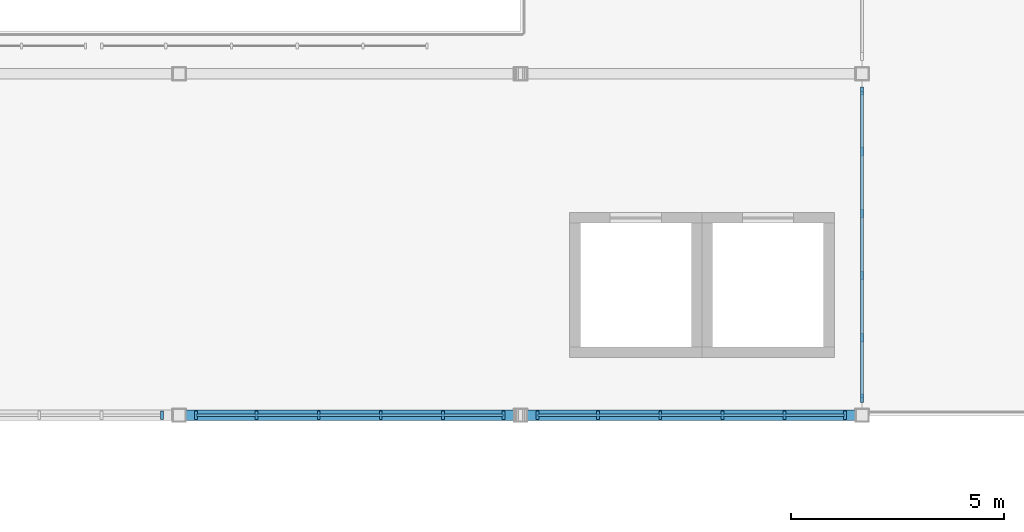
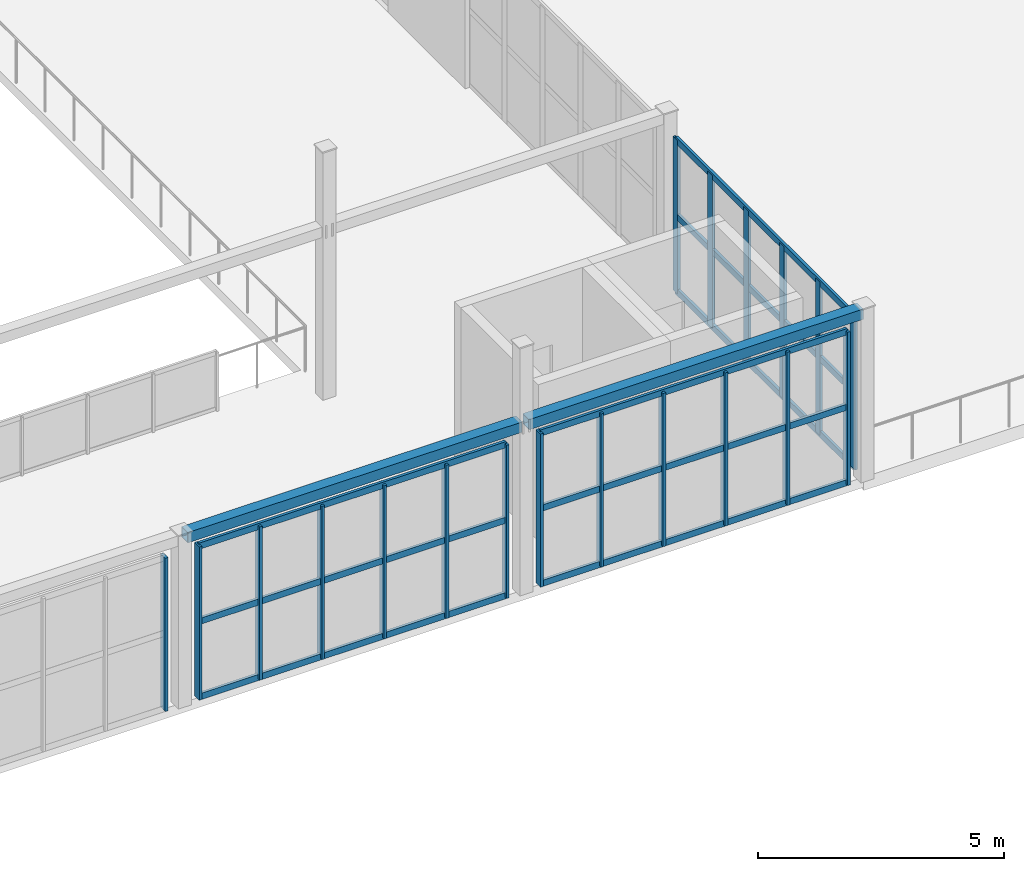
# One storey, part 24 of 83: 30 members, 4 elements without a shape of their own.
"""IFC4 building model written with IfcOpenShell, lengths in metres."""

from ifc_helpers import new_model, si_unit, direction, frame, origin, origin_2d, place, context, subcontext, project, spatial, rectangle, hollow_rectangle, extrude, material, material_profile, profile_set, type_object, element, aggregate, save


model = new_model("IFC4")

# Units and contexts
model_context = context("Model", 3, precision=1e-05, world=origin(), true_north=direction((0.0, 1.0)))
body_context = subcontext(model_context, "Body", "Model", "MODEL_VIEW")
ifc_project = project(units=[si_unit("LENGTHUNIT", "METRE"), si_unit("AREAUNIT", "SQUARE_METRE"), si_unit("VOLUMEUNIT", "CUBIC_METRE"), si_unit("PLANEANGLEUNIT", "RADIAN"), si_unit("MASSUNIT", "GRAM", prefix="KILO")], contexts=[model_context])

# Site, building, storey
site_placement = place(None, origin())
site = spatial("IfcSite", under=ifc_project, at=site_placement, CompositionType="ELEMENT")
building_placement = place(site_placement, origin())
building = spatial("IfcBuilding", under=site, at=building_placement, Name="Drelvath Fold Interchange", CompositionType="ELEMENT")
storey_placement = place(building_placement, frame((0.0, 0.0, 11.199951171875)))
storey = spatial("IfcBuildingStorey", under=building, at=storey_placement, Name="L02", CompositionType="ELEMENT", Elevation=11.199951171875)

# Members
ifc_material_1 = material(Name="Steel ASTM A500 Grade C", Category="steel")
ifc_material_profile_1 = material_profile(ifc_material_1, hollow_rectangle(XDim=0.25390625, YDim=0.25390625, WallThickness=0.01171875, at=origin_2d()), Name="HSS10X10X1/2")
ifc_profile_set_1 = profile_set([ifc_material_profile_1], Name="Steel ASTM A500 Grade C")
member_type_1 = type_object("IfcMemberType", Name="FP-CHD254", PredefinedType="CHORD", material=ifc_profile_set_1)
for number, where, z_axis, x_axis, name in (
    (1, (68.080078125, 59.0, 4.150146484375), (1.0, 0.0, 0.0), (0.0, 1.0, 0.0), "L02 Folded-plate roof truss tie chord FP-CHD254"),
    (2, (76.080078125, 59.0, 4.150146484375), (1.0, 0.0, 0.0), (0.0, 1.0, 0.0), "L02 Folded-plate roof truss tie chord FP-CHD254"),
):
    element("IfcMember", number, at=place(storey_placement, frame(where, z_axis=z_axis, x_axis=x_axis)), inside=storey, type_object=member_type_1, Name=name, PredefinedType="CHORD", context=body_context, shape_type="SweptSolid", body=[
        extrude(hollow_rectangle(XDim=0.25390625, YDim=0.25390625, WallThickness=0.01171875, at=origin_2d()), origin(), (0.0, 0.0, 1.0), 7.83984375),
    ])

# Curtain wall, members
ifc_material_2 = material(Name="Anodized Aluminium 6063-T6", Category="aluminium")
curtain_wall_type = type_object("IfcCurtainWallType", Name="CW-CON-440", PredefinedType="USERDEFINED", material=ifc_material_2)
curtain_wall_1_placement = place(storey_placement, origin())
curtain_wall_1 = element("IfcCurtainWall", 3, at=curtain_wall_1_placement, inside=storey, type_object=curtain_wall_type, Name="Curtain wall CW-V1E-L02-Y59", ObjectType="UNITISED CURTAIN WALL", PredefinedType="USERDEFINED")
ifc_material_profile_2 = material_profile(ifc_material_2, rectangle(XDim=0.06494140625, YDim=0.18994140625, at=origin_2d()), Name="AL-M 65x190")
ifc_profile_set_2 = profile_set([ifc_material_profile_2], Name="Anodized Aluminium 6063-T6")
member_type_2 = type_object("IfcMemberType", Name="ML-190", PredefinedType="MULLION", material=ifc_profile_set_2)
member_1_placement = place(storey_placement, frame((84.0, 59.39990234375, 0.0), z_axis=(0.0, 0.0, 1.0), x_axis=(1.0, 0.0, 0.0)))
member_1 = element("IfcMember", 4, at=member_1_placement, type_object=member_type_2, Name="CW-V1E-L02-Y59 mullion 0", PredefinedType="MULLION", context=body_context, shape_type="SweptSolid", body=[
    extrude(rectangle(XDim=0.06494140625, YDim=0.18994140625, at=origin_2d()), origin(), (0.0, 0.0, 1.0), 3.800048828125),
])
member_2_placement = place(storey_placement, frame((84.0, 60.81591796875, 0.0), z_axis=(0.0, 0.0, 1.0), x_axis=(1.0, 0.0, 0.0)))
member_2 = element("IfcMember", 5, at=member_2_placement, type_object=member_type_2, Name="CW-V1E-L02-Y59 mullion 1", PredefinedType="MULLION", context=body_context, shape_type="SweptSolid", body=[
    extrude(rectangle(XDim=0.06494140625, YDim=0.18994140625, at=origin_2d()), origin(), (0.0, 0.0, 1.0), 3.800048828125),
])
member_3_placement = place(storey_placement, frame((84.0, 62.27197265625, 0.0), z_axis=(0.0, 0.0, 1.0), x_axis=(1.0, 0.0, 0.0)))
member_3 = element("IfcMember", 6, at=member_3_placement, type_object=member_type_2, Name="CW-V1E-L02-Y59 mullion 2", PredefinedType="MULLION", context=body_context, shape_type="SweptSolid", body=[
    extrude(rectangle(XDim=0.06494140625, YDim=0.18994140625, at=origin_2d()), origin(), (0.0, 0.0, 1.0), 3.800048828125),
])
member_4_placement = place(storey_placement, frame((84.0, 63.72802734375, 0.0), z_axis=(0.0, 0.0, 1.0), x_axis=(1.0, 0.0, 0.0)))
member_4 = element("IfcMember", 7, at=member_4_placement, type_object=member_type_2, Name="CW-V1E-L02-Y59 mullion 3", PredefinedType="MULLION", context=body_context, shape_type="SweptSolid", body=[
    extrude(rectangle(XDim=0.06494140625, YDim=0.18994140625, at=origin_2d()), origin(), (0.0, 0.0, 1.0), 3.800048828125),
])
member_5_placement = place(storey_placement, frame((84.0, 65.18408203125, 0.0), z_axis=(0.0, 0.0, 1.0), x_axis=(1.0, 0.0, 0.0)))
member_5 = element("IfcMember", 8, at=member_5_placement, type_object=member_type_2, Name="CW-V1E-L02-Y59 mullion 4", PredefinedType="MULLION", context=body_context, shape_type="SweptSolid", body=[
    extrude(rectangle(XDim=0.06494140625, YDim=0.18994140625, at=origin_2d()), origin(), (0.0, 0.0, 1.0), 3.800048828125),
])
member_6_placement = place(storey_placement, frame((84.0, 66.60009765625, 0.0), z_axis=(0.0, 0.0, 1.0), x_axis=(1.0, 0.0, 0.0)))
member_6 = element("IfcMember", 9, at=member_6_placement, type_object=member_type_2, Name="CW-V1E-L02-Y59 mullion 5", PredefinedType="MULLION", context=body_context, shape_type="SweptSolid", body=[
    extrude(rectangle(XDim=0.06494140625, YDim=0.18994140625, at=origin_2d()), origin(), (0.0, 0.0, 1.0), 3.800048828125),
])

# Curtain wall, member
curtain_wall_2_placement = place(storey_placement, origin())
curtain_wall_2 = element("IfcCurtainWall", 10, at=curtain_wall_2_placement, inside=storey, type_object=curtain_wall_type, Name="Curtain wall CW-V1S-L02-X60", ObjectType="UNITISED CURTAIN WALL", PredefinedType="USERDEFINED")
member_7_placement = place(storey_placement, frame((67.60009765625, 59.0, 0.0), z_axis=(0.0, 0.0, 1.0), x_axis=(1.0, 0.0, 0.0)))
member_7 = element("IfcMember", 11, at=member_7_placement, type_object=member_type_2, Name="CW-V1S-L02-X60 mullion 5", PredefinedType="MULLION", context=body_context, shape_type="SweptSolid", body=[
    extrude(rectangle(XDim=0.06494140625, YDim=0.18994140625, at=origin_2d()), origin(), (0.0, 0.0, 1.0), 3.800048828125),
])
aggregate(curtain_wall_2, [member_7])

# Curtain wall, members
curtain_wall_3_placement = place(storey_placement, origin())
curtain_wall_3 = element("IfcCurtainWall", 12, at=curtain_wall_3_placement, inside=storey, type_object=curtain_wall_type, Name="Curtain wall CW-V1S-L02-X68", ObjectType="UNITISED CURTAIN WALL", PredefinedType="USERDEFINED")
member_8_placement = place(storey_placement, frame((68.39990234375, 59.0, 0.0), z_axis=(0.0, 0.0, 1.0), x_axis=(1.0, 0.0, 0.0)))
member_8 = element("IfcMember", 13, at=member_8_placement, type_object=member_type_2, Name="CW-V1S-L02-X68 mullion 0", PredefinedType="MULLION", context=body_context, shape_type="SweptSolid", body=[
    extrude(rectangle(XDim=0.06494140625, YDim=0.18994140625, at=origin_2d()), origin(), (0.0, 0.0, 1.0), 3.800048828125),
])
member_9_placement = place(storey_placement, frame((69.81591796875, 59.0, 0.0), z_axis=(0.0, 0.0, 1.0), x_axis=(1.0, 0.0, 0.0)))
member_9 = element("IfcMember", 14, at=member_9_placement, type_object=member_type_2, Name="CW-V1S-L02-X68 mullion 1", PredefinedType="MULLION", context=body_context, shape_type="SweptSolid", body=[
    extrude(rectangle(XDim=0.06494140625, YDim=0.18994140625, at=origin_2d()), origin(), (0.0, 0.0, 1.0), 3.800048828125),
])
member_10_placement = place(storey_placement, frame((71.27197265625, 59.0, 0.0), z_axis=(0.0, 0.0, 1.0), x_axis=(1.0, 0.0, 0.0)))
member_10 = element("IfcMember", 15, at=member_10_placement, type_object=member_type_2, Name="CW-V1S-L02-X68 mullion 2", PredefinedType="MULLION", context=body_context, shape_type="SweptSolid", body=[
    extrude(rectangle(XDim=0.06494140625, YDim=0.18994140625, at=origin_2d()), origin(), (0.0, 0.0, 1.0), 3.800048828125),
])
member_11_placement = place(storey_placement, frame((72.72802734375, 59.0, 0.0), z_axis=(0.0, 0.0, 1.0), x_axis=(1.0, 0.0, 0.0)))
member_11 = element("IfcMember", 16, at=member_11_placement, type_object=member_type_2, Name="CW-V1S-L02-X68 mullion 3", PredefinedType="MULLION", context=body_context, shape_type="SweptSolid", body=[
    extrude(rectangle(XDim=0.06494140625, YDim=0.18994140625, at=origin_2d()), origin(), (0.0, 0.0, 1.0), 3.800048828125),
])
member_12_placement = place(storey_placement, frame((74.18408203125, 59.0, 0.0), z_axis=(0.0, 0.0, 1.0), x_axis=(1.0, 0.0, 0.0)))
member_12 = element("IfcMember", 17, at=member_12_placement, type_object=member_type_2, Name="CW-V1S-L02-X68 mullion 4", PredefinedType="MULLION", context=body_context, shape_type="SweptSolid", body=[
    extrude(rectangle(XDim=0.06494140625, YDim=0.18994140625, at=origin_2d()), origin(), (0.0, 0.0, 1.0), 3.800048828125),
])
member_13_placement = place(storey_placement, frame((75.60009765625, 59.0, 0.0), z_axis=(0.0, 0.0, 1.0), x_axis=(1.0, 0.0, 0.0)))
member_13 = element("IfcMember", 18, at=member_13_placement, type_object=member_type_2, Name="CW-V1S-L02-X68 mullion 5", PredefinedType="MULLION", context=body_context, shape_type="SweptSolid", body=[
    extrude(rectangle(XDim=0.06494140625, YDim=0.18994140625, at=origin_2d()), origin(), (0.0, 0.0, 1.0), 3.800048828125),
])

curtain_wall_4_placement = place(storey_placement, origin())
curtain_wall_4 = element("IfcCurtainWall", 19, at=curtain_wall_4_placement, inside=storey, type_object=curtain_wall_type, Name="Curtain wall CW-V1S-L02-X76", ObjectType="UNITISED CURTAIN WALL", PredefinedType="USERDEFINED")
member_14_placement = place(storey_placement, frame((76.39990234375, 59.0, 0.0), z_axis=(0.0, 0.0, 1.0), x_axis=(1.0, 0.0, 0.0)))
member_14 = element("IfcMember", 20, at=member_14_placement, type_object=member_type_2, Name="CW-V1S-L02-X76 mullion 0", PredefinedType="MULLION", context=body_context, shape_type="SweptSolid", body=[
    extrude(rectangle(XDim=0.06494140625, YDim=0.18994140625, at=origin_2d()), origin(), (0.0, 0.0, 1.0), 3.800048828125),
])
member_15_placement = place(storey_placement, frame((77.81591796875, 59.0, 0.0), z_axis=(0.0, 0.0, 1.0), x_axis=(1.0, 0.0, 0.0)))
member_15 = element("IfcMember", 21, at=member_15_placement, type_object=member_type_2, Name="CW-V1S-L02-X76 mullion 1", PredefinedType="MULLION", context=body_context, shape_type="SweptSolid", body=[
    extrude(rectangle(XDim=0.06494140625, YDim=0.18994140625, at=origin_2d()), origin(), (0.0, 0.0, 1.0), 3.800048828125),
])
member_16_placement = place(storey_placement, frame((79.27197265625, 59.0, 0.0), z_axis=(0.0, 0.0, 1.0), x_axis=(1.0, 0.0, 0.0)))
member_16 = element("IfcMember", 22, at=member_16_placement, type_object=member_type_2, Name="CW-V1S-L02-X76 mullion 2", PredefinedType="MULLION", context=body_context, shape_type="SweptSolid", body=[
    extrude(rectangle(XDim=0.06494140625, YDim=0.18994140625, at=origin_2d()), origin(), (0.0, 0.0, 1.0), 3.800048828125),
])
member_17_placement = place(storey_placement, frame((80.72802734375, 59.0, 0.0), z_axis=(0.0, 0.0, 1.0), x_axis=(1.0, 0.0, 0.0)))
member_17 = element("IfcMember", 23, at=member_17_placement, type_object=member_type_2, Name="CW-V1S-L02-X76 mullion 3", PredefinedType="MULLION", context=body_context, shape_type="SweptSolid", body=[
    extrude(rectangle(XDim=0.06494140625, YDim=0.18994140625, at=origin_2d()), origin(), (0.0, 0.0, 1.0), 3.800048828125),
])
member_18_placement = place(storey_placement, frame((82.18408203125, 59.0, 0.0), z_axis=(0.0, 0.0, 1.0), x_axis=(1.0, 0.0, 0.0)))
member_18 = element("IfcMember", 24, at=member_18_placement, type_object=member_type_2, Name="CW-V1S-L02-X76 mullion 4", PredefinedType="MULLION", context=body_context, shape_type="SweptSolid", body=[
    extrude(rectangle(XDim=0.06494140625, YDim=0.18994140625, at=origin_2d()), origin(), (0.0, 0.0, 1.0), 3.800048828125),
])
member_19_placement = place(storey_placement, frame((83.60009765625, 59.0, 0.0), z_axis=(0.0, 0.0, 1.0), x_axis=(1.0, 0.0, 0.0)))
member_19 = element("IfcMember", 25, at=member_19_placement, type_object=member_type_2, Name="CW-V1S-L02-X76 mullion 5", PredefinedType="MULLION", context=body_context, shape_type="SweptSolid", body=[
    extrude(rectangle(XDim=0.06494140625, YDim=0.18994140625, at=origin_2d()), origin(), (0.0, 0.0, 1.0), 3.800048828125),
])

# Member
ifc_material_profile_3 = material_profile(ifc_material_2, rectangle(XDim=0.06494140625, YDim=0.155029296875, at=origin_2d()), Name="AL-T 65x155")
ifc_profile_set_3 = profile_set([ifc_material_profile_3], Name="Anodized Aluminium 6063-T6")
member_type_3 = type_object("IfcMemberType", Name="TR-155", PredefinedType="USERDEFINED", material=ifc_profile_set_3)
member_20_placement = place(storey_placement, frame((84.0, 59.39990234375, 0.030029296875), z_axis=(0.0, 1.0, 0.0), x_axis=(-1.0, 0.0, 0.0)))
member_20 = element("IfcMember", 26, at=member_20_placement, type_object=member_type_3, Name="CW-V1E-L02-Y59 transom 0", ObjectType="TRANSOM", PredefinedType="USERDEFINED", context=body_context, shape_type="SweptSolid", body=[
    extrude(rectangle(XDim=0.06494140625, YDim=0.155029296875, at=origin_2d()), origin(), (0.0, 0.0, 1.0), 7.2001953125),
])

member_21_placement = place(storey_placement, frame((84.0, 59.39990234375, 1.900146484375), z_axis=(0.0, 1.0, 0.0), x_axis=(-1.0, 0.0, 0.0)))
member_21 = element("IfcMember", 27, at=member_21_placement, type_object=member_type_3, Name="CW-V1E-L02-Y59 transom 1", ObjectType="TRANSOM", PredefinedType="USERDEFINED", context=body_context, shape_type="SweptSolid", body=[
    extrude(rectangle(XDim=0.06494140625, YDim=0.155029296875, at=origin_2d()), origin(), (0.0, 0.0, 1.0), 7.2001953125),
])

member_22_placement = place(storey_placement, frame((84.0, 59.39990234375, 3.77001953125), z_axis=(0.0, 1.0, 0.0), x_axis=(-1.0, 0.0, 0.0)))
member_22 = element("IfcMember", 28, at=member_22_placement, type_object=member_type_3, Name="CW-V1E-L02-Y59 transom 2", ObjectType="TRANSOM", PredefinedType="USERDEFINED", context=body_context, shape_type="SweptSolid", body=[
    extrude(rectangle(XDim=0.06494140625, YDim=0.155029296875, at=origin_2d()), origin(), (0.0, 0.0, 1.0), 7.2001953125),
])

aggregate(curtain_wall_1, [member_1, member_2, member_3, member_4, member_5, member_6, member_20, member_21, member_22])

member_23_placement = place(storey_placement, frame((68.39990234375, 59.0, 0.030029296875), z_axis=(1.0, 0.0, 0.0), x_axis=(0.0, 1.0, 0.0)))
member_23 = element("IfcMember", 29, at=member_23_placement, type_object=member_type_3, Name="CW-V1S-L02-X68 transom 0", ObjectType="TRANSOM", PredefinedType="USERDEFINED", context=body_context, shape_type="SweptSolid", body=[
    extrude(rectangle(XDim=0.06494140625, YDim=0.155029296875, at=origin_2d()), origin(), (0.0, 0.0, 1.0), 7.2001953125),
])

member_24_placement = place(storey_placement, frame((68.39990234375, 59.0, 1.900146484375), z_axis=(1.0, 0.0, 0.0), x_axis=(0.0, 1.0, 0.0)))
member_24 = element("IfcMember", 30, at=member_24_placement, type_object=member_type_3, Name="CW-V1S-L02-X68 transom 1", ObjectType="TRANSOM", PredefinedType="USERDEFINED", context=body_context, shape_type="SweptSolid", body=[
    extrude(rectangle(XDim=0.06494140625, YDim=0.155029296875, at=origin_2d()), origin(), (0.0, 0.0, 1.0), 7.2001953125),
])

member_25_placement = place(storey_placement, frame((68.39990234375, 59.0, 3.77001953125), z_axis=(1.0, 0.0, 0.0), x_axis=(0.0, 1.0, 0.0)))
member_25 = element("IfcMember", 31, at=member_25_placement, type_object=member_type_3, Name="CW-V1S-L02-X68 transom 2", ObjectType="TRANSOM", PredefinedType="USERDEFINED", context=body_context, shape_type="SweptSolid", body=[
    extrude(rectangle(XDim=0.06494140625, YDim=0.155029296875, at=origin_2d()), origin(), (0.0, 0.0, 1.0), 7.2001953125),
])

aggregate(curtain_wall_3, [member_8, member_9, member_10, member_11, member_12, member_13, member_23, member_24, member_25])

member_26_placement = place(storey_placement, frame((76.39990234375, 59.0, 0.030029296875), z_axis=(1.0, 0.0, 0.0), x_axis=(0.0, 1.0, 0.0)))
member_26 = element("IfcMember", 32, at=member_26_placement, type_object=member_type_3, Name="CW-V1S-L02-X76 transom 0", ObjectType="TRANSOM", PredefinedType="USERDEFINED", context=body_context, shape_type="SweptSolid", body=[
    extrude(rectangle(XDim=0.06494140625, YDim=0.155029296875, at=origin_2d()), origin(), (0.0, 0.0, 1.0), 7.2001953125),
])

member_27_placement = place(storey_placement, frame((76.39990234375, 59.0, 1.900146484375), z_axis=(1.0, 0.0, 0.0), x_axis=(0.0, 1.0, 0.0)))
member_27 = element("IfcMember", 33, at=member_27_placement, type_object=member_type_3, Name="CW-V1S-L02-X76 transom 1", ObjectType="TRANSOM", PredefinedType="USERDEFINED", context=body_context, shape_type="SweptSolid", body=[
    extrude(rectangle(XDim=0.06494140625, YDim=0.155029296875, at=origin_2d()), origin(), (0.0, 0.0, 1.0), 7.2001953125),
])

member_28_placement = place(storey_placement, frame((76.39990234375, 59.0, 3.77001953125), z_axis=(1.0, 0.0, 0.0), x_axis=(0.0, 1.0, 0.0)))
member_28 = element("IfcMember", 34, at=member_28_placement, type_object=member_type_3, Name="CW-V1S-L02-X76 transom 2", ObjectType="TRANSOM", PredefinedType="USERDEFINED", context=body_context, shape_type="SweptSolid", body=[
    extrude(rectangle(XDim=0.06494140625, YDim=0.155029296875, at=origin_2d()), origin(), (0.0, 0.0, 1.0), 7.2001953125),
])

aggregate(curtain_wall_4, [member_14, member_15, member_16, member_17, member_18, member_19, member_26, member_27, member_28])

save(model, "model.ifc")
